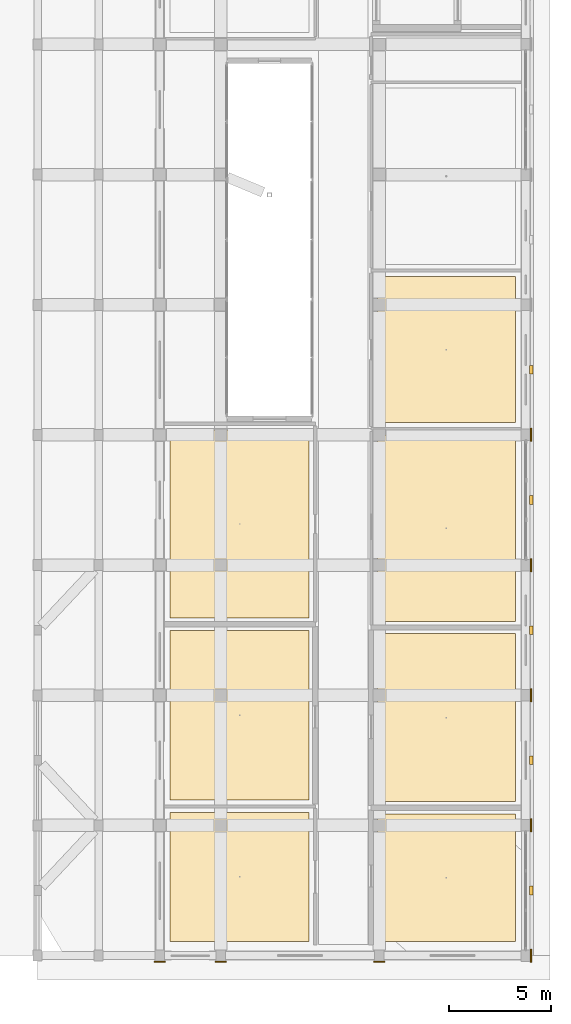
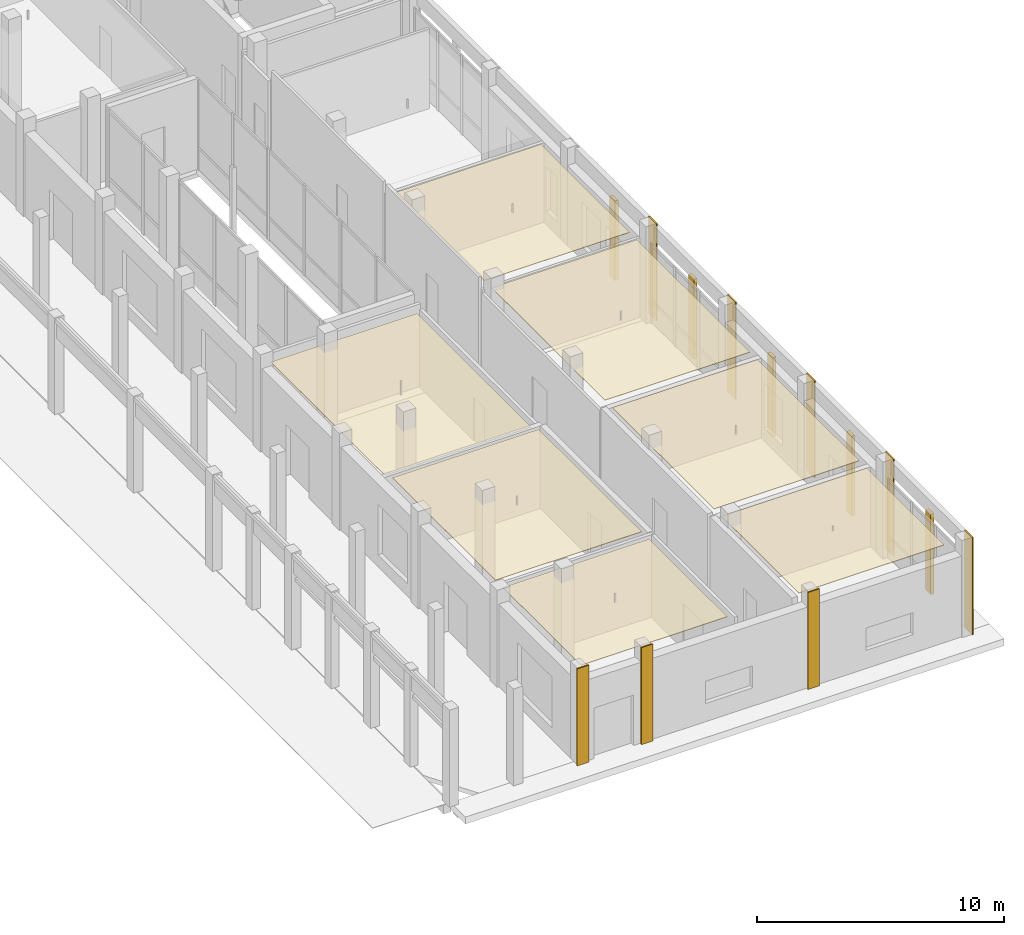
# One storey, part 83 of 88: 20 coverings.
"""IFC4 building model written with IfcOpenShell, lengths in metres."""

from ifc_helpers import new_model, si_unit, derived_unit, direction, frame, origin, origin_2d, place, context, subcontext, project, spatial, polyline, rectangle, outline, extrude, material, layer, layer_set, type_object, element, save


model = new_model("IFC4")

# Units and contexts
model_context = context("Model", 3, precision=1e-05, world=origin(), true_north=direction((0.0, 1.0)))
body_context = subcontext(model_context, "Body", "Model", "MODEL_VIEW")
ifc_project = project(units=[si_unit("LENGTHUNIT", "METRE"), si_unit("AREAUNIT", "SQUARE_METRE"), si_unit("VOLUMEUNIT", "CUBIC_METRE"), si_unit("PLANEANGLEUNIT", "RADIAN"), si_unit("MASSUNIT", "GRAM", prefix="KILO"), derived_unit("THERMALTRANSMITTANCEUNIT", [(si_unit("POWERUNIT", "WATT"), 1), (si_unit("LENGTHUNIT", "METRE"), -2), (si_unit("THERMODYNAMICTEMPERATUREUNIT", "KELVIN"), -1)])], contexts=[model_context])

# Site, building, storey
site_placement = place(None, origin())
site = spatial("IfcSite", under=ifc_project, at=site_placement, CompositionType="ELEMENT")
building_placement = place(site_placement, origin())
building = spatial("IfcBuilding", under=site, at=building_placement, Name="Braskholm Square Health Centre", CompositionType="ELEMENT")
storey_placement = place(building_placement, origin())
storey = spatial("IfcBuildingStorey", under=building, at=storey_placement, Name="L01", CompositionType="ELEMENT", Elevation=0.0)

# Coverings
ifc_material_1 = material(Name="Fire-rated gypsum board barrier")
ifc_layer_1 = layer(ifc_material_1, 0.02490234375)
ifc_layer_set_1 = layer_set([ifc_layer_1], Name="Fire-rated gypsum board barrier")
covering_type_1 = type_object("IfcCoveringType", Name="AcousticClinicalCeilingTile", PredefinedType="CEILING", material=ifc_layer_set_1)
covering_1_placement = place(storey_placement, frame((0.0, 0.0, 4.06494140625)))
element("IfcCovering", 1, at=covering_1_placement, inside=storey, type_object=covering_type_1, Name="Acoustic ceiling L01-165", PredefinedType="CEILING", context=body_context, shape_type="SweptSolid", body=[
    extrude(outline(polyline([(156.5, 4.89990234375), (163.294921875, 4.89990234375), (163.294921875, 11.169921875), (156.5, 11.169921875), (156.5, 4.89990234375)])), origin(), (0.0, 0.0, 1.0), 0.025146484375),
])
covering_2_placement = place(storey_placement, frame((0.0, 0.0, 4.06494140625)))
element("IfcCovering", 2, at=covering_2_placement, inside=storey, type_object=covering_type_1, Name="Acoustic ceiling L01-166", PredefinedType="CEILING", context=body_context, shape_type="SweptSolid", body=[
    extrude(outline(polyline([(156.5, 11.77001953125), (163.294921875, 11.77001953125), (163.294921875, 20.030029296875), (156.5, 20.030029296875), (156.5, 11.77001953125)])), origin(), (0.0, 0.0, 1.0), 0.025146484375),
])
covering_3_placement = place(storey_placement, frame((0.0, 0.0, 4.06494140625)))
element("IfcCovering", 3, at=covering_3_placement, inside=storey, type_object=covering_type_1, Name="Acoustic ceiling L01-167", PredefinedType="CEILING", context=body_context, shape_type="SweptSolid", body=[
    extrude(outline(polyline([(156.5, 20.6298828125), (163.294921875, 20.6298828125), (163.294921875, 29.800048828125), (156.5, 29.800048828125), (156.5, 20.6298828125)])), origin(), (0.0, 0.0, 1.0), 0.025146484375),
])
covering_4_placement = place(storey_placement, frame((0.0, 0.0, 4.06494140625)))
element("IfcCovering", 4, at=covering_4_placement, inside=storey, type_object=covering_type_1, Name="Acoustic ceiling L01-168", PredefinedType="CEILING", context=body_context, shape_type="SweptSolid", body=[
    extrude(outline(polyline([(156.5, 30.39990234375), (163.294921875, 30.39990234375), (163.294921875, 37.580078125), (156.5, 37.580078125), (156.5, 30.39990234375)])), origin(), (0.0, 0.0, 1.0), 0.025146484375),
])
covering_5_placement = place(storey_placement, frame((0.0, 0.0, 4.06494140625)))
element("IfcCovering", 5, at=covering_5_placement, inside=storey, type_object=covering_type_1, Name="Acoustic ceiling L01-179", PredefinedType="CEILING", context=body_context, shape_type="SweptSolid", body=[
    extrude(outline(polyline([(146.304931640625, 4.89990234375), (153.14990234375, 4.89990234375), (153.14990234375, 11.239990234375), (146.304931640625, 11.239990234375), (146.304931640625, 4.89990234375)])), origin(), (0.0, 0.0, 1.0), 0.025146484375),
])
covering_6_placement = place(storey_placement, frame((0.0, 0.0, 4.06494140625)))
element("IfcCovering", 6, at=covering_6_placement, inside=storey, type_object=covering_type_1, Name="Acoustic ceiling L01-180", PredefinedType="CEILING", context=body_context, shape_type="SweptSolid", body=[
    extrude(outline(polyline([(146.304931640625, 11.840087890625), (153.14990234375, 11.840087890625), (153.14990234375, 20.18994140625), (146.304931640625, 20.18994140625), (146.304931640625, 11.840087890625)])), origin(), (0.0, 0.0, 1.0), 0.025146484375),
])
covering_7_placement = place(storey_placement, frame((0.0, 0.0, 3.81494140625)))
element("IfcCovering", 7, at=covering_7_placement, inside=storey, type_object=covering_type_1, Name="Acoustic ceiling L01-181", PredefinedType="CEILING", context=body_context, shape_type="SweptSolid", body=[
    extrude(outline(polyline([(146.304931640625, 20.7900390625), (153.14990234375, 20.7900390625), (153.14990234375, 30.050048828125), (146.304931640625, 30.050048828125), (146.304931640625, 20.7900390625)])), origin(), (0.0, 0.0, 1.0), 0.025146484375),
])
ifc_material_2 = material(Name="Mankato-Kasota dolomitic limestone ashlar", Category="masonry")
ifc_layer_2 = layer(ifc_material_2, 0.090087890625)
ifc_layer_set_2 = layer_set([ifc_layer_2], Name="Mankato-Kasota dolomitic limestone ashlar")
covering_type_2 = type_object("IfcCoveringType", Name="KasotaAshlarBaseCladding", PredefinedType="CLADDING", material=ifc_layer_set_2)
for number, where, z_axis, x_axis, name in (
    (8, (164.070068359375, 7.39990234375, 0.0), (0.0, 0.0, 1.0), (1.0, 0.0, 0.0), "Fluted Kasota limestone base pilaster 0664"),
    (9, (164.070068359375, 13.800048828125, 0.0), (0.0, 0.0, 1.0), (1.0, 0.0, 0.0), "Fluted Kasota limestone base pilaster 0665"),
    (10, (164.070068359375, 20.199951171875, 0.0), (0.0, 0.0, 1.0), (1.0, 0.0, 0.0), "Fluted Kasota limestone base pilaster 0666"),
    (11, (164.070068359375, 26.60009765625, 0.0), (0.0, 0.0, 1.0), (1.0, 0.0, 0.0), "Fluted Kasota limestone base pilaster 0667"),
    (12, (164.070068359375, 33.0, 0.0), (0.0, 0.0, 1.0), (1.0, 0.0, 0.0), "Fluted Kasota limestone base pilaster 0668"),
):
    element("IfcCovering", number, at=place(storey_placement, frame(where, z_axis=z_axis, x_axis=x_axis)), inside=storey, type_object=covering_type_2, Name=name, PredefinedType="CLADDING", context=body_context, shape_type="SweptSolid", body=[
        extrude(rectangle(XDim=0.159912109375, YDim=0.419921875, at=origin_2d()), origin(), (0.0, 0.0, 1.0), 3.949951171875),
    ])
ifc_material_3 = material(Name="Precast concrete C40/50 architectural white", Category="concrete")
ifc_layer_3 = layer(ifc_material_3, 0.054931640625)
ifc_layer_set_3 = layer_set([ifc_layer_3], Name="Precast concrete C40/50 architectural white")
covering_type_3 = type_object("IfcCoveringType", Name="PrecastWhiteColumnCasing", PredefinedType="CLADDING", material=ifc_layer_set_3)
for number, where, z_axis, x_axis, name in (
    (13, (145.800048828125, 3.89501953125, 0.0), (0.0, 0.0, 1.0), (1.0, 0.0, 0.0), "Giant-order white precast column casing 0220"),
    (14, (148.800048828125, 3.89501953125, 0.0), (0.0, 0.0, 1.0), (1.0, 0.0, 0.0), "Giant-order white precast column casing 0224"),
    (15, (156.60009765625, 3.89501953125, 0.0), (0.0, 0.0, 1.0), (1.0, 0.0, 0.0), "Giant-order white precast column casing 0234"),
):
    element("IfcCovering", number, at=place(storey_placement, frame(where, z_axis=z_axis, x_axis=x_axis)), inside=storey, type_object=covering_type_3, Name=name, PredefinedType="CLADDING", context=body_context, shape_type="SweptSolid", body=[
        extrude(rectangle(XDim=0.5400390625, YDim=0.06005859375, at=origin_2d()), origin(), (0.0, 0.0, 1.0), 4.800048828125),
    ])
for number, where, z_axis, x_axis, name in (
    (16, (164.054931640625, 4.199951171875, 0.0), (0.0, 0.0, 1.0), (1.0, 0.0, 0.0), "Giant-order white precast column casing 0244"),
    (17, (164.054931640625, 10.60009765625, 0.0), (0.0, 0.0, 1.0), (1.0, 0.0, 0.0), "Giant-order white precast column casing 0252"),
    (18, (164.054931640625, 17.0, 0.0), (0.0, 0.0, 1.0), (1.0, 0.0, 0.0), "Giant-order white precast column casing 0260"),
    (19, (164.054931640625, 23.39990234375, 0.0), (0.0, 0.0, 1.0), (1.0, 0.0, 0.0), "Giant-order white precast column casing 0268"),
    (20, (164.054931640625, 29.800048828125, 0.0), (0.0, 0.0, 1.0), (1.0, 0.0, 0.0), "Giant-order white precast column casing 0276"),
):
    element("IfcCovering", number, at=place(storey_placement, frame(where, z_axis=z_axis, x_axis=x_axis)), inside=storey, type_object=covering_type_3, Name=name, PredefinedType="CLADDING", context=body_context, shape_type="SweptSolid", body=[
        extrude(rectangle(XDim=0.06005859375, YDim=0.639892578125, at=origin_2d()), origin(), (0.0, 0.0, 1.0), 4.800048828125),
    ])

save(model, "model.ifc")
